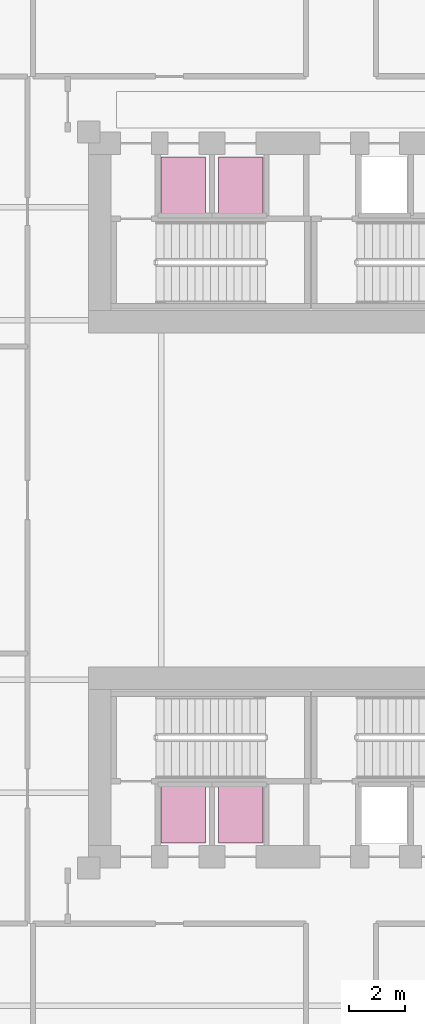
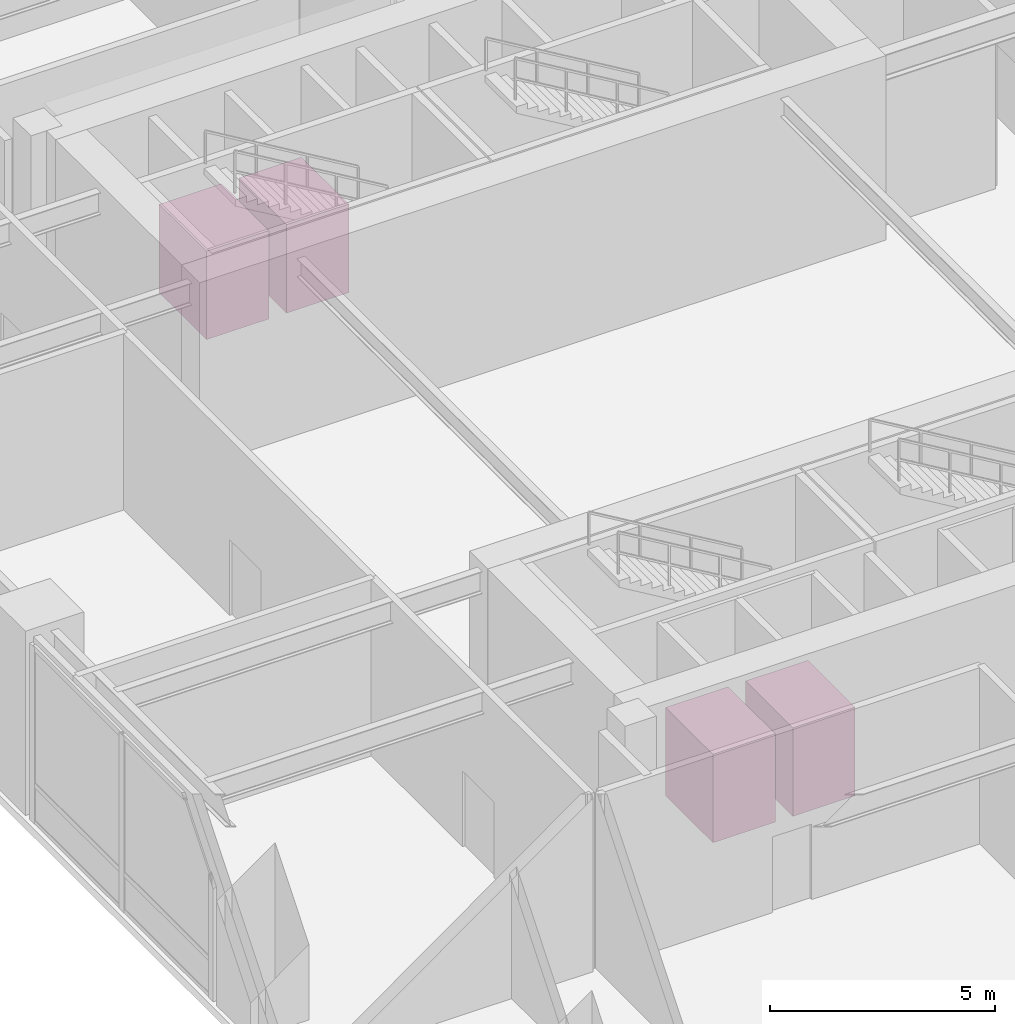
# One storey, part 18 of 18: 4 transport elements.
"""IFC4 building model written with IfcOpenShell, lengths in metres."""

from ifc_helpers import new_model, si_unit, direction, frame, origin, origin_2d, place, context, subcontext, project, spatial, rectangle, extrude, source, transform, mapped, material, type_object, element, save


model = new_model("IFC4")

# Units and contexts
model_context = context("Model", 3, precision=1e-05, world=origin(), true_north=direction((0.0, 1.0)))
body_context = subcontext(model_context, "Body", "Model", "MODEL_VIEW")
ifc_project = project(units=[si_unit("LENGTHUNIT", "METRE"), si_unit("AREAUNIT", "SQUARE_METRE"), si_unit("VOLUMEUNIT", "CUBIC_METRE"), si_unit("PLANEANGLEUNIT", "RADIAN"), si_unit("MASSUNIT", "GRAM", prefix="KILO"), si_unit("THERMODYNAMICTEMPERATUREUNIT", "KELVIN"), si_unit("POWERUNIT", "WATT")], contexts=[model_context])

# Site, building, storey
site_placement = place(None, origin())
site = spatial("IfcSite", under=ifc_project, at=site_placement, CompositionType="ELEMENT")
building_placement = place(site_placement, origin())
building = spatial("IfcBuilding", under=site, at=building_placement, Name="Qiaomeng Ring Towers", CompositionType="ELEMENT")
storey_placement = place(building_placement, origin())
storey = spatial("IfcBuildingStorey", under=building, at=storey_placement, Name="L00", CompositionType="ELEMENT", Elevation=0.0)

# Transport elements
ifc_material = material(Name="Stainless steel 316", Category="steel")
transport_element_type = type_object("IfcTransportElementType", Name="ARC-LFT-P1600", PredefinedType="ELEVATOR", material=ifc_material)
shared_shape = source(origin(), body_context, "Body", "SweptSolid", [
    extrude(rectangle(XDim=1.60009765625, YDim=2.10009765625, at=origin_2d()), origin(), (0.0, 0.0, 1.0), 2.39990234375),
])
for number, where, z_axis, x_axis, name in (
    (1, (15.64990234375, 34.25, 0.0), (0.0, 0.0, 1.0), (1.0, 0.0, 0.0), "Tower 1 Mid-Zone Passenger Lift LP3"),
    (2, (15.64990234375, 11.75, 0.0), (0.0, 0.0, 1.0), (1.0, 0.0, 0.0), "Tower 1 Mid-Zone Passenger Lift LP4"),
    (3, (13.60009765625, 34.25, 0.0), (0.0, 0.0, 1.0), (1.0, 0.0, 0.0), "Tower 1 High-Zone Passenger Lift LP5"),
    (4, (13.60009765625, 11.75, 0.0), (0.0, 0.0, 1.0), (1.0, 0.0, 0.0), "Tower 1 High-Zone Passenger Lift LP6"),
):
    element("IfcTransportElement", number, at=place(storey_placement, frame(where, z_axis=z_axis, x_axis=x_axis)), inside=storey, type_object=transport_element_type, Name=name, PredefinedType="ELEVATOR", context=body_context, shape_type="MappedRepresentation", body=[
        mapped(shared_shape, transform((0.0, 0.0, 0.0), x_axis=(1.0, 0.0, 0.0), y_axis=(0.0, 1.0, 0.0), z_axis=(0.0, 0.0, 1.0), scale=1.0)),
    ])

save(model, "model.ifc")
